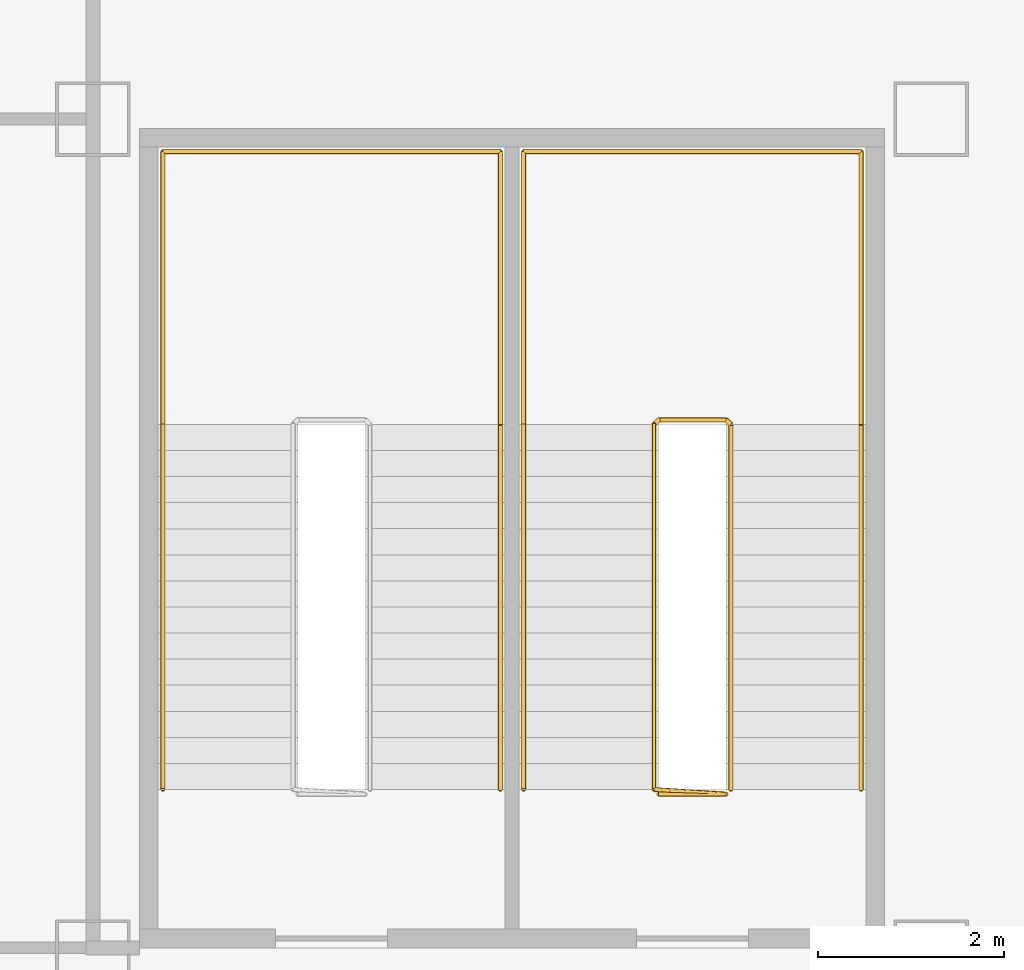
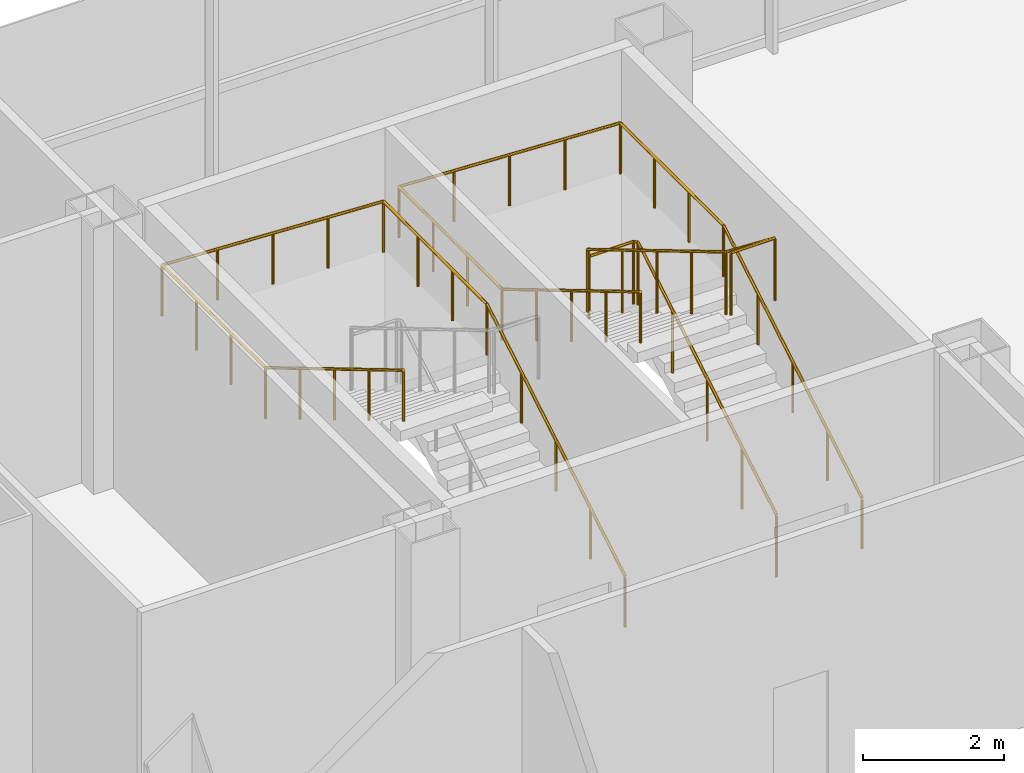
# One storey, part 33 of 33: 3 railings.
"""IFC4 building model written with IfcOpenShell, lengths in metres."""

from ifc_helpers import new_model, si_unit, direction, frame, origin, origin_2d, place, context, subcontext, project, spatial, circle, extrude, material, type_object, element, save


model = new_model("IFC4")

# Units and contexts
model_context = context("Model", 3, precision=1e-05, world=origin(), true_north=direction((0.0, 1.0)))
body_context = subcontext(model_context, "Body", "Model", "MODEL_VIEW")
ifc_project = project(units=[si_unit("LENGTHUNIT", "METRE"), si_unit("AREAUNIT", "SQUARE_METRE"), si_unit("VOLUMEUNIT", "CUBIC_METRE"), si_unit("PLANEANGLEUNIT", "RADIAN"), si_unit("MASSUNIT", "GRAM", prefix="KILO")], contexts=[model_context])

# Site, building, storey
site_placement = place(None, origin())
site = spatial("IfcSite", under=ifc_project, at=site_placement, CompositionType="ELEMENT")
building_placement = place(site_placement, origin())
building = spatial("IfcBuilding", under=site, at=building_placement, Name="Shamsa Quay Exchange Towers", CompositionType="ELEMENT")
storey_placement = place(building_placement, frame((0.0, 0.0, 18.5)))
storey = spatial("IfcBuildingStorey", under=building, at=storey_placement, Name="L03", CompositionType="ELEMENT", Elevation=18.5)

# Railings
ifc_material = material(Name="Stainless steel", Category="steel")
railing_type_1 = type_object("IfcRailingType", Name="STAIR GUARD 1100", PredefinedType="GUARDRAIL", material=ifc_material)
railing_1_placement = place(storey_placement, frame((51.85009765625, 17.550048828125, 0.166748046875)))
element("IfcRailing", 1, at=railing_1_placement, inside=storey, type_object=railing_type_1, Name="L03 PS4B stair guard 1", PredefinedType="GUARDRAIL", context=body_context, shape_type="SweptSolid", body=[
    extrude(circle(Radius=0.02392578125, at=origin_2d()), frame((0.0, 0.0, 1.076171875), z_axis=(0.0, 0.859296244711, 0.511478214419), x_axis=(-1.0, 0.0, 0.0)), (0.0, 0.0, 1.0), 4.561767578125),
    extrude(circle(Radius=0.02392578125, at=origin_2d()), frame((0.0, 3.919921875, 3.4091796875), z_axis=(-0.707106781187, 0.707106781187, 0.0), x_axis=(-0.707106781187, -0.707106781187, 0.0)), (0.0, 0.0, 1.0), 0.07080078125),
    extrude(circle(Radius=0.02392578125, at=origin_2d()), frame((-0.050048828125, 3.969970703125, 3.4091796875), z_axis=(-1.0, 0.0, 0.0), x_axis=(0.0, -1.0, 0.0)), (0.0, 0.0, 1.0), 0.72509765625),
    extrude(circle(Radius=0.02392578125, at=origin_2d()), frame((-0.775146484375, 3.969970703125, 3.4091796875), z_axis=(-0.27628659633, -0.27628659633, 0.920506074601), x_axis=(0.707106781187, -0.707106781187, 0.0)), (0.0, 0.0, 1.0), 0.18115234375),
    extrude(circle(Radius=0.02392578125, at=origin_2d()), frame((-0.8251953125, 3.919921875, 3.576171875), z_axis=(0.0, -0.859296244711, 0.511478214419), x_axis=(1.0, 0.0, 0.0)), (0.0, 0.0, 1.0), 4.561767578125),
    extrude(circle(Radius=0.02392578125, at=origin_2d()), frame((-0.8251953125, 0.0, 5.9091796875), z_axis=(0.997922050633, -0.064432762324, 0.0), x_axis=(0.064432762324, 0.997922050633, 0.0)), (0.0, 0.0, 1.0), 0.77685546875),
    extrude(circle(Radius=0.02392578125, at=origin_2d()), frame((-0.050048828125, -0.050048828125, 5.9091796875), z_axis=(-1.0, 0.0, 0.0), x_axis=(0.0, -1.0, 0.0)), (0.0, 0.0, 1.0), 0.72509765625),
    extrude(circle(Radius=0.02099609375, at=origin_2d()), origin(), (0.0, 0.0, 1.0), 1.052001953125),
    extrude(circle(Radius=0.02099609375, at=origin_2d()), frame((0.0, 0.97998046875, 0.583251953125)), (0.0, 0.0, 1.0), 1.052001953125),
    extrude(circle(Radius=0.02099609375, at=origin_2d()), frame((0.0, 1.9599609375, 1.16650390625)), (0.0, 0.0, 1.0), 1.052001953125),
    extrude(circle(Radius=0.02099609375, at=origin_2d()), frame((0.0, 2.93994140625, 1.75)), (0.0, 0.0, 1.0), 1.052001953125),
    extrude(circle(Radius=0.02099609375, at=origin_2d()), frame((0.0, 3.919921875, 2.333251953125)), (0.0, 0.0, 1.0), 1.052001953125),
    extrude(circle(Radius=0.02099609375, at=origin_2d()), frame((-0.050048828125, 3.969970703125, 2.333251953125)), (0.0, 0.0, 1.0), 1.052001953125),
    extrude(circle(Radius=0.02099609375, at=origin_2d()), frame((-0.775146484375, 3.969970703125, 2.333251953125)), (0.0, 0.0, 1.0), 1.052001953125),
    extrude(circle(Radius=0.02099609375, at=origin_2d()), frame((-0.8251953125, 3.919921875, 2.5)), (0.0, 0.0, 1.0), 1.052001953125),
    extrude(circle(Radius=0.02099609375, at=origin_2d()), frame((-0.8251953125, 2.93994140625, 3.083251953125)), (0.0, 0.0, 1.0), 1.052001953125),
    extrude(circle(Radius=0.02099609375, at=origin_2d()), frame((-0.8251953125, 1.9599609375, 3.66650390625)), (0.0, 0.0, 1.0), 1.052001953125),
    extrude(circle(Radius=0.02099609375, at=origin_2d()), frame((-0.8251953125, 0.97998046875, 4.25)), (0.0, 0.0, 1.0), 1.052001953125),
    extrude(circle(Radius=0.02099609375, at=origin_2d()), frame((-0.8251953125, 0.0, 4.833251953125)), (0.0, 0.0, 1.0), 1.052001953125),
    extrude(circle(Radius=0.02099609375, at=origin_2d()), frame((-0.050048828125, -0.050048828125, 4.833251953125)), (0.0, 0.0, 1.0), 1.052001953125),
    extrude(circle(Radius=0.02099609375, at=origin_2d()), frame((-0.775146484375, -0.050048828125, 4.833251953125)), (0.0, 0.0, 1.0), 1.052001953125),
])
railing_type_2 = type_object("IfcRailingType", Name="STAIR HANDRAIL 900", PredefinedType="HANDRAIL", material=ifc_material)
railing_2_placement = place(storey_placement, frame((49.375, 17.550048828125, 0.166748046875)))
element("IfcRailing", 2, at=railing_2_placement, inside=storey, type_object=railing_type_2, Name="L03 PS4A stair handrail 1", PredefinedType="HANDRAIL", context=body_context, shape_type="SweptSolid", body=[
    extrude(circle(Radius=0.02392578125, at=origin_2d()), frame((0.0, 0.0, 0.8759765625), z_axis=(0.0, 0.859296244711, 0.511478214419), x_axis=(-1.0, 0.0, 0.0)), (0.0, 0.0, 1.0), 4.561767578125),
    extrude(circle(Radius=0.02392578125, at=origin_2d()), frame((0.0, 3.919921875, 3.208984375), z_axis=(0.0, 1.0, 0.0), x_axis=(-1.0, 0.0, 0.0)), (0.0, 0.0, 1.0), 2.929931640625),
    extrude(circle(Radius=0.02392578125, at=origin_2d()), frame((0.0, 6.849853515625, 3.208984375), z_axis=(-0.998943700797, 0.0, 0.045950872013), x_axis=(0.0, -1.0, 0.0)), (0.0, 0.0, 1.0), 3.62890625),
    extrude(circle(Radius=0.02392578125, at=origin_2d()), frame((-3.625, 6.849853515625, 3.3759765625), z_axis=(0.0, -1.0, 0.0), x_axis=(1.0, 0.0, 0.0)), (0.0, 0.0, 1.0), 2.929931640625),
    extrude(circle(Radius=0.02392578125, at=origin_2d()), frame((-3.625, 3.919921875, 3.3759765625), z_axis=(0.0, -0.859296244711, 0.511478214419), x_axis=(1.0, 0.0, 0.0)), (0.0, 0.0, 1.0), 4.561767578125),
    extrude(circle(Radius=0.02099609375, at=origin_2d()), origin(), (0.0, 0.0, 1.0), 0.851806640625),
    extrude(circle(Radius=0.02099609375, at=origin_2d()), frame((0.0, 0.97998046875, 0.583251953125)), (0.0, 0.0, 1.0), 0.851806640625),
    extrude(circle(Radius=0.02099609375, at=origin_2d()), frame((0.0, 1.9599609375, 1.16650390625)), (0.0, 0.0, 1.0), 0.851806640625),
    extrude(circle(Radius=0.02099609375, at=origin_2d()), frame((0.0, 2.93994140625, 1.75)), (0.0, 0.0, 1.0), 0.851806640625),
    extrude(circle(Radius=0.02099609375, at=origin_2d()), frame((0.0, 3.919921875, 2.333251953125)), (0.0, 0.0, 1.0), 0.851806640625),
    extrude(circle(Radius=0.02099609375, at=origin_2d()), frame((0.0, 4.896484375, 2.333251953125)), (0.0, 0.0, 1.0), 0.851806640625),
    extrude(circle(Radius=0.02099609375, at=origin_2d()), frame((0.0, 5.873291015625, 2.333251953125)), (0.0, 0.0, 1.0), 0.851806640625),
    extrude(circle(Radius=0.02099609375, at=origin_2d()), frame((0.0, 6.849853515625, 2.333251953125)), (0.0, 0.0, 1.0), 0.851806640625),
    extrude(circle(Radius=0.02099609375, at=origin_2d()), frame((-0.90625, 6.849853515625, 2.375)), (0.0, 0.0, 1.0), 0.851806640625),
    extrude(circle(Radius=0.02099609375, at=origin_2d()), frame((-1.8125, 6.849853515625, 2.41650390625)), (0.0, 0.0, 1.0), 0.851806640625),
    extrude(circle(Radius=0.02099609375, at=origin_2d()), frame((-2.71875, 6.849853515625, 2.458251953125)), (0.0, 0.0, 1.0), 0.851806640625),
    extrude(circle(Radius=0.02099609375, at=origin_2d()), frame((-3.625, 6.849853515625, 2.5)), (0.0, 0.0, 1.0), 0.851806640625),
    extrude(circle(Radius=0.02099609375, at=origin_2d()), frame((-3.625, 5.873291015625, 2.5)), (0.0, 0.0, 1.0), 0.851806640625),
    extrude(circle(Radius=0.02099609375, at=origin_2d()), frame((-3.625, 4.896484375, 2.5)), (0.0, 0.0, 1.0), 0.851806640625),
    extrude(circle(Radius=0.02099609375, at=origin_2d()), frame((-3.625, 3.919921875, 2.5)), (0.0, 0.0, 1.0), 0.851806640625),
    extrude(circle(Radius=0.02099609375, at=origin_2d()), frame((-3.625, 2.93994140625, 3.083251953125)), (0.0, 0.0, 1.0), 0.851806640625),
    extrude(circle(Radius=0.02099609375, at=origin_2d()), frame((-3.625, 1.9599609375, 3.66650390625)), (0.0, 0.0, 1.0), 0.851806640625),
    extrude(circle(Radius=0.02099609375, at=origin_2d()), frame((-3.625, 0.97998046875, 4.25)), (0.0, 0.0, 1.0), 0.851806640625),
    extrude(circle(Radius=0.02099609375, at=origin_2d()), frame((-3.625, 0.0, 4.833251953125)), (0.0, 0.0, 1.0), 0.851806640625),
])
railing_3_placement = place(storey_placement, frame((53.25, 17.550048828125, 0.166748046875)))
element("IfcRailing", 3, at=railing_3_placement, inside=storey, type_object=railing_type_2, Name="L03 PS4B stair handrail 1", PredefinedType="HANDRAIL", context=body_context, shape_type="SweptSolid", body=[
    extrude(circle(Radius=0.02392578125, at=origin_2d()), frame((0.0, 0.0, 0.8759765625), z_axis=(0.0, 0.859296244711, 0.511478214419), x_axis=(-1.0, 0.0, 0.0)), (0.0, 0.0, 1.0), 4.561767578125),
    extrude(circle(Radius=0.02392578125, at=origin_2d()), frame((0.0, 3.919921875, 3.208984375), z_axis=(0.0, 1.0, 0.0), x_axis=(-1.0, 0.0, 0.0)), (0.0, 0.0, 1.0), 2.929931640625),
    extrude(circle(Radius=0.02392578125, at=origin_2d()), frame((0.0, 6.849853515625, 3.208984375), z_axis=(-0.998943700797, 0.0, 0.045950872013), x_axis=(0.0, -1.0, 0.0)), (0.0, 0.0, 1.0), 3.62890625),
    extrude(circle(Radius=0.02392578125, at=origin_2d()), frame((-3.625, 6.849853515625, 3.3759765625), z_axis=(0.0, -1.0, 0.0), x_axis=(1.0, 0.0, 0.0)), (0.0, 0.0, 1.0), 2.929931640625),
    extrude(circle(Radius=0.02392578125, at=origin_2d()), frame((-3.625, 3.919921875, 3.3759765625), z_axis=(0.0, -0.859296244711, 0.511478214419), x_axis=(1.0, 0.0, 0.0)), (0.0, 0.0, 1.0), 4.561767578125),
    extrude(circle(Radius=0.02099609375, at=origin_2d()), origin(), (0.0, 0.0, 1.0), 0.851806640625),
    extrude(circle(Radius=0.02099609375, at=origin_2d()), frame((0.0, 0.97998046875, 0.583251953125)), (0.0, 0.0, 1.0), 0.851806640625),
    extrude(circle(Radius=0.02099609375, at=origin_2d()), frame((0.0, 1.9599609375, 1.16650390625)), (0.0, 0.0, 1.0), 0.851806640625),
    extrude(circle(Radius=0.02099609375, at=origin_2d()), frame((0.0, 2.93994140625, 1.75)), (0.0, 0.0, 1.0), 0.851806640625),
    extrude(circle(Radius=0.02099609375, at=origin_2d()), frame((0.0, 3.919921875, 2.333251953125)), (0.0, 0.0, 1.0), 0.851806640625),
    extrude(circle(Radius=0.02099609375, at=origin_2d()), frame((0.0, 4.896484375, 2.333251953125)), (0.0, 0.0, 1.0), 0.851806640625),
    extrude(circle(Radius=0.02099609375, at=origin_2d()), frame((0.0, 5.873291015625, 2.333251953125)), (0.0, 0.0, 1.0), 0.851806640625),
    extrude(circle(Radius=0.02099609375, at=origin_2d()), frame((0.0, 6.849853515625, 2.333251953125)), (0.0, 0.0, 1.0), 0.851806640625),
    extrude(circle(Radius=0.02099609375, at=origin_2d()), frame((-0.90625, 6.849853515625, 2.375)), (0.0, 0.0, 1.0), 0.851806640625),
    extrude(circle(Radius=0.02099609375, at=origin_2d()), frame((-1.8125, 6.849853515625, 2.41650390625)), (0.0, 0.0, 1.0), 0.851806640625),
    extrude(circle(Radius=0.02099609375, at=origin_2d()), frame((-2.71875, 6.849853515625, 2.458251953125)), (0.0, 0.0, 1.0), 0.851806640625),
    extrude(circle(Radius=0.02099609375, at=origin_2d()), frame((-3.625, 6.849853515625, 2.5)), (0.0, 0.0, 1.0), 0.851806640625),
    extrude(circle(Radius=0.02099609375, at=origin_2d()), frame((-3.625, 5.873291015625, 2.5)), (0.0, 0.0, 1.0), 0.851806640625),
    extrude(circle(Radius=0.02099609375, at=origin_2d()), frame((-3.625, 4.896484375, 2.5)), (0.0, 0.0, 1.0), 0.851806640625),
    extrude(circle(Radius=0.02099609375, at=origin_2d()), frame((-3.625, 3.919921875, 2.5)), (0.0, 0.0, 1.0), 0.851806640625),
    extrude(circle(Radius=0.02099609375, at=origin_2d()), frame((-3.625, 2.93994140625, 3.083251953125)), (0.0, 0.0, 1.0), 0.851806640625),
    extrude(circle(Radius=0.02099609375, at=origin_2d()), frame((-3.625, 1.9599609375, 3.66650390625)), (0.0, 0.0, 1.0), 0.851806640625),
    extrude(circle(Radius=0.02099609375, at=origin_2d()), frame((-3.625, 0.97998046875, 4.25)), (0.0, 0.0, 1.0), 0.851806640625),
    extrude(circle(Radius=0.02099609375, at=origin_2d()), frame((-3.625, 0.0, 4.833251953125)), (0.0, 0.0, 1.0), 0.851806640625),
])

save(model, "model.ifc")
